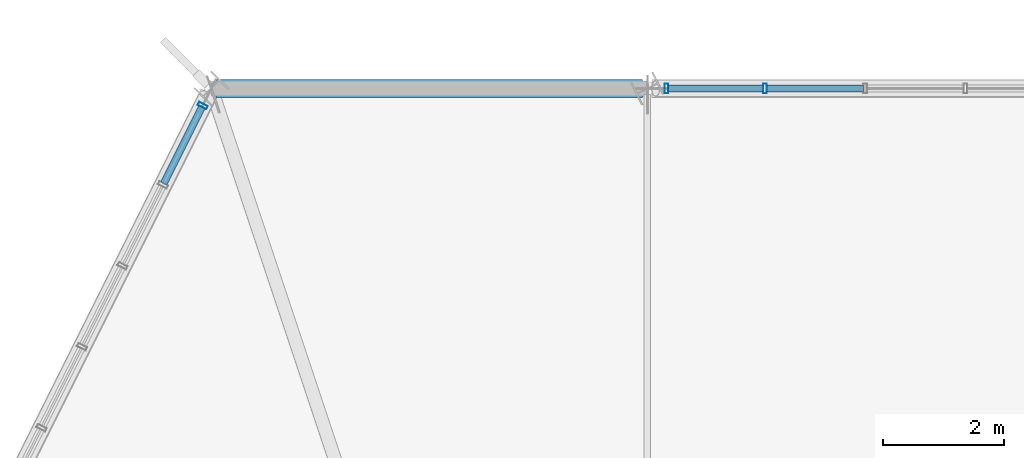
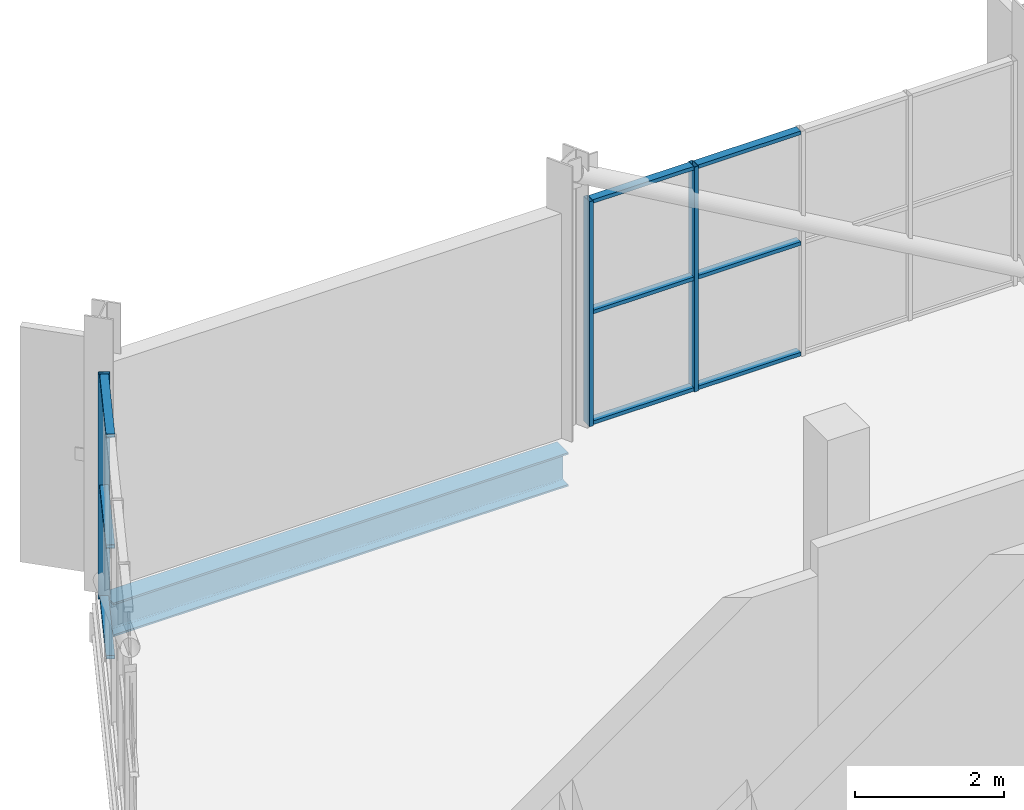
# One storey, part 14 of 22: 12 members, 1 beam, 2 elements without a shape of their own.
"""IFC4 building model written with IfcOpenShell, lengths in metres."""

from ifc_helpers import new_model, si_unit, direction, frame, origin, origin_2d, place, context, subcontext, project, spatial, hollow_rectangle, i_section, extrude, material, layer, layer_set, material_profile, profile_set, type_object, element, aggregate, save


model = new_model("IFC4")

# Units and contexts
model_context = context("Model", 3, precision=1e-05, world=origin(), true_north=direction((0.0, 1.0)))
body_context = subcontext(model_context, "Body", "Model", "MODEL_VIEW")
ifc_project = project(units=[si_unit("LENGTHUNIT", "METRE"), si_unit("AREAUNIT", "SQUARE_METRE"), si_unit("VOLUMEUNIT", "CUBIC_METRE"), si_unit("PLANEANGLEUNIT", "RADIAN"), si_unit("MASSUNIT", "GRAM", prefix="KILO")], contexts=[model_context])

# Site, building, storey
site_placement = place(None, origin())
site = spatial("IfcSite", under=ifc_project, at=site_placement, CompositionType="ELEMENT")
building_placement = place(site_placement, origin())
building = spatial("IfcBuilding", under=site, at=building_placement, Name="Solnavia Interchange Tower", CompositionType="ELEMENT")
storey_placement = place(building_placement, frame((0.0, 0.0, 317.699951171875)))
storey = spatial("IfcBuildingStorey", under=building, at=storey_placement, Name="C04", CompositionType="ELEMENT", Elevation=317.699951171875)

# Curtain wall, members
ifc_material_1 = material(Name="Aluminium Alloy 6063-T6", Category="aluminium")
ifc_layer = layer(ifc_material_1, 0.179931640625)
ifc_layer_set = layer_set([ifc_layer], Name="Aluminium Alloy 6063-T6")
curtain_wall_type = type_object("IfcCurtainWallType", Name="CurtainWall-Crown-CTW6", PredefinedType="NOTDEFINED", material=ifc_layer_set)
curtain_wall_1_placement = place(storey_placement, origin())
curtain_wall_1 = element("IfcCurtainWall", 1, at=curtain_wall_1_placement, inside=storey, type_object=curtain_wall_type, Name="CTW-C04-R05 CTW-6 curtain wall", PredefinedType="NOTDEFINED")
ifc_material_profile_1 = material_profile(ifc_material_1, hollow_rectangle(XDim=0.06005859375, YDim=0.159912109375, WallThickness=0.00390625, at=origin_2d()), Name="ALU 160x60x4")
ifc_profile_set_1 = profile_set([ifc_material_profile_1], Name="Aluminium Alloy 6063-T6")
member_type_1 = type_object("IfcMemberType", Name="CW-Mullion-CWM-6", PredefinedType="MULLION", material=ifc_profile_set_1)
member_1_placement = place(storey_placement, frame((19.9443359375, 36.0, 0.0), z_axis=(0.0, 0.0, 1.0), x_axis=(-1.0, 0.0, 0.0)))
member_1 = element("IfcMember", 2, at=member_1_placement, type_object=member_type_1, Name="CTW-6 mullion 4", PredefinedType="MULLION", context=body_context, shape_type="SweptSolid", body=[
    extrude(hollow_rectangle(XDim=0.06005859375, YDim=0.159912109375, WallThickness=0.00390625, at=origin_2d()), origin(), (0.0, 0.0, 1.0), 3.679931640625),
])
member_2_placement = place(storey_placement, frame((18.318603515625, 36.0, 0.0), z_axis=(0.0, 0.0, 1.0), x_axis=(-1.0, 0.0, 0.0)))
member_2 = element("IfcMember", 3, at=member_2_placement, type_object=member_type_1, Name="CTW-6 mullion 5", PredefinedType="MULLION", context=body_context, shape_type="SweptSolid", body=[
    extrude(hollow_rectangle(XDim=0.06005859375, YDim=0.159912109375, WallThickness=0.00390625, at=origin_2d()), origin(), (0.0, 0.0, 1.0), 3.679931640625),
])

# Curtain wall, member
curtain_wall_2_placement = place(storey_placement, origin())
curtain_wall_2 = element("IfcCurtainWall", 4, at=curtain_wall_2_placement, inside=storey, type_object=curtain_wall_type, Name="CTW-C04-R07 CTW-6 curtain wall", PredefinedType="NOTDEFINED")
member_3_placement = place(storey_placement, frame((10.657470703125, 35.715087890625, 0.0), z_axis=(0.0, 0.0, 1.0), x_axis=(-0.447213595499, -0.894427191001, 0.0)))
member_3 = element("IfcMember", 5, at=member_3_placement, type_object=member_type_1, Name="CTW-6 mullion 1", PredefinedType="MULLION", context=body_context, shape_type="SweptSolid", body=[
    extrude(hollow_rectangle(XDim=0.06005859375, YDim=0.159912109375, WallThickness=0.00390625, at=origin_2d()), origin(), (0.0, 0.0, 1.0), 3.679931640625),
])

# Member
ifc_material_profile_2 = material_profile(ifc_material_1, hollow_rectangle(XDim=0.06005859375, YDim=0.1201171875, WallThickness=0.00390625, at=origin_2d()), Name="ALU 120x60x4")
ifc_profile_set_2 = profile_set([ifc_material_profile_2], Name="Aluminium Alloy 6063-T6")
member_type_2 = type_object("IfcMemberType", Name="CW-Transom-CWT-6", PredefinedType="USERDEFINED", material=ifc_profile_set_2)
member_4_placement = place(storey_placement, frame((21.570068359375, 36.0, 0.030029296875), z_axis=(-1.0, 0.0, 0.0), x_axis=(0.0, 0.0, 1.0)))
member_4 = element("IfcMember", 6, at=member_4_placement, type_object=member_type_2, Name="CTW-6 transom 3.1", ObjectType="TRANSOM", PredefinedType="USERDEFINED", context=body_context, shape_type="SweptSolid", body=[
    extrude(hollow_rectangle(XDim=0.06005859375, YDim=0.1201171875, WallThickness=0.00390625, at=origin_2d()), origin(), (0.0, 0.0, 1.0), 1.595703125),
])

member_5_placement = place(storey_placement, frame((21.570068359375, 36.0, 1.840087890625), z_axis=(-1.0, 0.0, 0.0), x_axis=(0.0, 0.0, 1.0)))
member_5 = element("IfcMember", 7, at=member_5_placement, type_object=member_type_2, Name="CTW-6 transom 3.2", ObjectType="TRANSOM", PredefinedType="USERDEFINED", context=body_context, shape_type="SweptSolid", body=[
    extrude(hollow_rectangle(XDim=0.06005859375, YDim=0.1201171875, WallThickness=0.00390625, at=origin_2d()), origin(), (0.0, 0.0, 1.0), 1.595703125),
])

member_6_placement = place(storey_placement, frame((21.570068359375, 36.0, 3.650146484375), z_axis=(-1.0, 0.0, 0.0), x_axis=(0.0, 0.0, 1.0)))
member_6 = element("IfcMember", 8, at=member_6_placement, type_object=member_type_2, Name="CTW-6 transom 3.3", ObjectType="TRANSOM", PredefinedType="USERDEFINED", context=body_context, shape_type="SweptSolid", body=[
    extrude(hollow_rectangle(XDim=0.06005859375, YDim=0.1201171875, WallThickness=0.00390625, at=origin_2d()), origin(), (0.0, 0.0, 1.0), 1.595703125),
])

member_7_placement = place(storey_placement, frame((19.914306640625, 36.0, 0.030029296875), z_axis=(-1.0, 0.0, 0.0), x_axis=(0.0, 0.0, 1.0)))
member_7 = element("IfcMember", 9, at=member_7_placement, type_object=member_type_2, Name="CTW-6 transom 4.1", ObjectType="TRANSOM", PredefinedType="USERDEFINED", context=body_context, shape_type="SweptSolid", body=[
    extrude(hollow_rectangle(XDim=0.06005859375, YDim=0.1201171875, WallThickness=0.00390625, at=origin_2d()), origin(), (0.0, 0.0, 1.0), 1.56591796875),
])

member_8_placement = place(storey_placement, frame((19.914306640625, 36.0, 1.840087890625), z_axis=(-1.0, 0.0, 0.0), x_axis=(0.0, 0.0, 1.0)))
member_8 = element("IfcMember", 10, at=member_8_placement, type_object=member_type_2, Name="CTW-6 transom 4.2", ObjectType="TRANSOM", PredefinedType="USERDEFINED", context=body_context, shape_type="SweptSolid", body=[
    extrude(hollow_rectangle(XDim=0.06005859375, YDim=0.1201171875, WallThickness=0.00390625, at=origin_2d()), origin(), (0.0, 0.0, 1.0), 1.56591796875),
])

member_9_placement = place(storey_placement, frame((19.914306640625, 36.0, 3.650146484375), z_axis=(-1.0, 0.0, 0.0), x_axis=(0.0, 0.0, 1.0)))
member_9 = element("IfcMember", 11, at=member_9_placement, type_object=member_type_2, Name="CTW-6 transom 4.3", ObjectType="TRANSOM", PredefinedType="USERDEFINED", context=body_context, shape_type="SweptSolid", body=[
    extrude(hollow_rectangle(XDim=0.06005859375, YDim=0.1201171875, WallThickness=0.00390625, at=origin_2d()), origin(), (0.0, 0.0, 1.0), 1.56591796875),
])

aggregate(curtain_wall_1, [member_1, member_2, member_4, member_5, member_6, member_7, member_8, member_9])

member_10_placement = place(storey_placement, frame((10.644287109375, 35.688232421875, 0.030029296875), z_axis=(-0.447283129031, -0.894392420856, 0.0), x_axis=(0.0, 0.0, 1.0)))
member_10 = element("IfcMember", 12, at=member_10_placement, type_object=member_type_2, Name="CTW-6 transom 1.1", ObjectType="TRANSOM", PredefinedType="USERDEFINED", context=body_context, shape_type="SweptSolid", body=[
    extrude(hollow_rectangle(XDim=0.06005859375, YDim=0.1201171875, WallThickness=0.00390625, at=origin_2d()), origin(), (0.0, 0.0, 1.0), 1.404541015625),
])

member_11_placement = place(storey_placement, frame((10.644287109375, 35.688232421875, 1.840087890625), z_axis=(-0.447283129031, -0.894392420856, 0.0), x_axis=(0.0, 0.0, 1.0)))
member_11 = element("IfcMember", 13, at=member_11_placement, type_object=member_type_2, Name="CTW-6 transom 1.2", ObjectType="TRANSOM", PredefinedType="USERDEFINED", context=body_context, shape_type="SweptSolid", body=[
    extrude(hollow_rectangle(XDim=0.06005859375, YDim=0.1201171875, WallThickness=0.00390625, at=origin_2d()), origin(), (0.0, 0.0, 1.0), 1.404541015625),
])

member_12_placement = place(storey_placement, frame((10.644287109375, 35.688232421875, 3.650146484375), z_axis=(-0.447283129031, -0.894392420856, 0.0), x_axis=(0.0, 0.0, 1.0)))
member_12 = element("IfcMember", 14, at=member_12_placement, type_object=member_type_2, Name="CTW-6 transom 1.3", ObjectType="TRANSOM", PredefinedType="USERDEFINED", context=body_context, shape_type="SweptSolid", body=[
    extrude(hollow_rectangle(XDim=0.06005859375, YDim=0.1201171875, WallThickness=0.00390625, at=origin_2d()), origin(), (0.0, 0.0, 1.0), 1.404541015625),
])

aggregate(curtain_wall_2, [member_3, member_10, member_11, member_12])

# Beam
ifc_material_2 = material(Name="Steel S460", Category="steel")
ifc_material_profile_3 = material_profile(ifc_material_2, i_section(OverallWidth=0.300048828125, OverallDepth=0.550048828125, WebThickness=0.014892578125, FlangeThickness=0.029052734375, FilletRadius=0.027099609375, at=origin_2d()), Name="HEB 550")
ifc_profile_set_3 = profile_set([ifc_material_profile_3], Name="Steel S460")
beam_type = type_object("IfcBeamType", Name="CrownFrame-Ring-HEB550", PredefinedType="BEAM", material=ifc_profile_set_3)
beam_placement = place(storey_placement, frame((17.919921875, 36.0, -0.52490234375), z_axis=(-1.0, 0.0, 0.0), x_axis=(0.0, -1.0, 0.0)))
element("IfcBeam", 15, at=beam_placement, inside=storey, type_object=beam_type, Name="GRD-C04-CR06 CROWN FRAME outer collar ring beam", PredefinedType="BEAM", context=body_context, shape_type="SweptSolid", body=[
    extrude(i_section(OverallWidth=0.300048828125, OverallDepth=0.550048828125, WebThickness=0.014892578125, FlangeThickness=0.029052734375, FilletRadius=0.027099609375, at=origin_2d()), origin(), (0.0, 0.0, 1.0), 7.0400390625),
])

save(model, "model.ifc")
